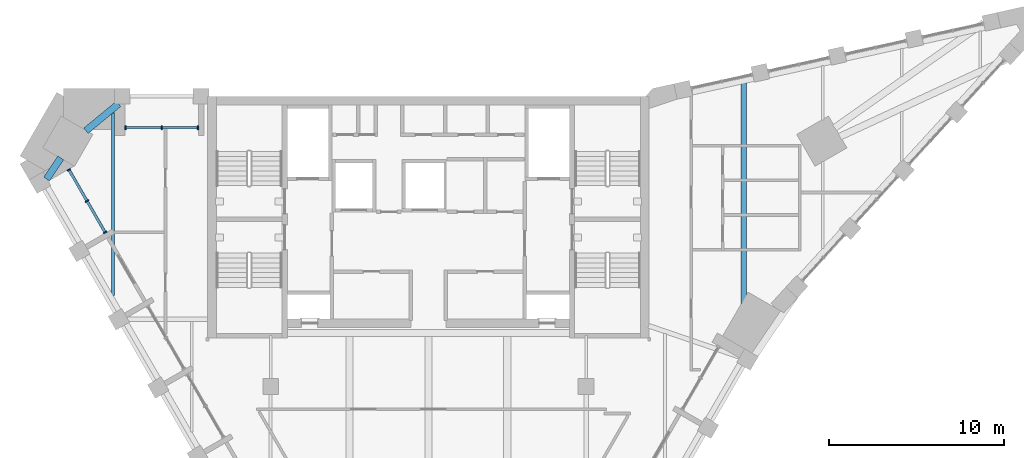
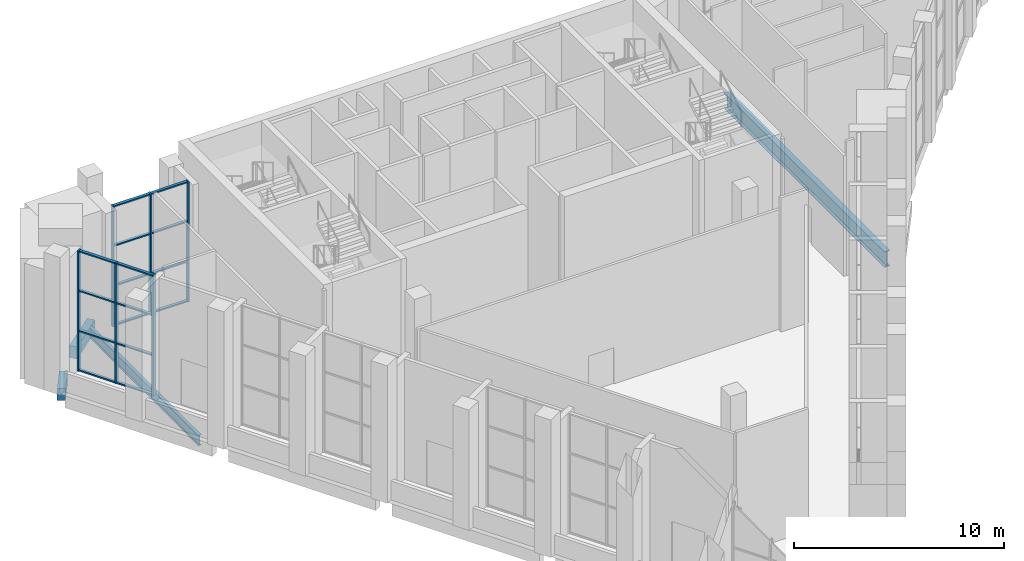
# One storey, part 5 of 16: 22 members, 4 beams, 2 elements without a shape of their own.
"""IFC4 building model written with IfcOpenShell, lengths in metres."""

from ifc_helpers import new_model, si_unit, direction, frame, origin, origin_2d, place, context, subcontext, project, spatial, rectangle, i_section, extrude, material, material_profile, profile_set, type_object, element, aggregate, save


model = new_model("IFC4")

# Units and contexts
model_context = context("Model", 3, precision=1e-05, world=origin(), true_north=direction((0.0, 1.0)))
body_context = subcontext(model_context, "Body", "Model", "MODEL_VIEW")
ifc_project = project(units=[si_unit("LENGTHUNIT", "METRE"), si_unit("AREAUNIT", "SQUARE_METRE"), si_unit("VOLUMEUNIT", "CUBIC_METRE"), si_unit("PLANEANGLEUNIT", "RADIAN"), si_unit("MASSUNIT", "GRAM", prefix="KILO")], contexts=[model_context])

# Site, building, storey
site_placement = place(None, origin())
site = spatial("IfcSite", under=ifc_project, at=site_placement, CompositionType="ELEMENT")
building_placement = place(site_placement, origin())
building = spatial("IfcBuilding", under=site, at=building_placement, Name="Calabash Gate Tower", CompositionType="ELEMENT")
storey_placement = place(building_placement, frame((0.0, 0.0, 302.5)))
storey = spatial("IfcBuildingStorey", under=building, at=storey_placement, Name="L72", CompositionType="ELEMENT", Elevation=302.5)

# Beams
ifc_material_1 = material(Name="Concrete C50/60", Category="concrete")
ifc_material_profile_1 = material_profile(ifc_material_1, rectangle(XDim=0.39990234375, YDim=0.699951171875, at=origin_2d()))
ifc_profile_set_1 = profile_set([ifc_material_profile_1], Name="Concrete C50/60")
beam_type_1 = type_object("IfcBeamType", Name="Edge beam RC 400x700 Concrete C50/60", PredefinedType="BEAM", material=ifc_profile_set_1)
beam_1_placement = place(storey_placement, frame((-17.673095703125, 18.623046875, -0.64990234375), z_axis=(-0.77193605732, -0.635700183585, 0.0), x_axis=(0.635700183585, -0.77193605732, 0.0)))
element("IfcBeam", 1, at=beam_1_placement, inside=storey, type_object=beam_type_1, Name="Edge beam L72 16", PredefinedType="BEAM", context=body_context, shape_type="SweptSolid", body=[
    extrude(rectangle(XDim=0.39990234375, YDim=0.699951171875, at=origin_2d()), origin(), (0.0, 0.0, 1.0), 2.421142578125),
])
beam_2_placement = place(storey_placement, frame((-20.97412109375, 15.535888671875, -0.64990234375), z_axis=(-0.556208441461, -0.831042820586, 0.0), x_axis=(0.831042820586, -0.556208441461, 0.0)))
element("IfcBeam", 2, at=beam_2_placement, inside=storey, type_object=beam_type_1, Name="Edge beam L72 17", PredefinedType="BEAM", context=body_context, shape_type="SweptSolid", body=[
    extrude(rectangle(XDim=0.39990234375, YDim=0.699951171875, at=origin_2d()), origin(), (0.0, 0.0, 1.0), 1.4560546875),
])
ifc_material_2 = material(Name="Steel ASTM A992 Gr50", Category="steel")
ifc_material_profile_2 = material_profile(ifc_material_2, i_section(OverallWidth=0.1787109375, OverallDepth=0.60205078125, WebThickness=0.010986328125, FlangeThickness=0.014892578125, FilletRadius=0.0126953125, at=origin_2d()))
ifc_profile_set_2 = profile_set([ifc_material_profile_2], Name="Steel ASTM A992 Gr50")
beam_type_2 = type_object("IfcBeamType", Name="Floor beam W24x62 ASTM A992 Gr50", PredefinedType="BEAM", material=ifc_profile_set_2)
beam_3_placement = place(storey_placement, frame((-18.0, 7.679931640625, -0.60107421875), z_axis=(0.0, 1.0, 0.0), x_axis=(-1.0, 0.0, 0.0)))
element("IfcBeam", 3, at=beam_3_placement, inside=storey, type_object=beam_type_2, Name="Floor beam L72 1", PredefinedType="BEAM", context=body_context, shape_type="SweptSolid", body=[
    extrude(i_section(OverallWidth=0.1787109375, OverallDepth=0.60205078125, WebThickness=0.010986328125, FlangeThickness=0.014892578125, FilletRadius=0.0126953125, at=origin_2d()), origin(), (0.0, 0.0, 1.0), 10.43701171875),
])
ifc_material_3 = material(Name="Steel ASTM A992 Gr50", Category="steel")
ifc_material_profile_3 = material_profile(ifc_material_3, i_section(OverallWidth=0.307373046875, OverallDepth=0.922119140625, WebThickness=0.018310546875, FlangeThickness=0.030029296875, FilletRadius=0.01904296875, at=origin_2d()))
ifc_profile_set_3 = profile_set([ifc_material_profile_3], Name="Steel ASTM A992 Gr50")
beam_type_3 = type_object("IfcBeamType", Name="Floor beam W36x182 ASTM A992 Gr50", PredefinedType="BEAM", material=ifc_profile_set_3)
beam_4_placement = place(storey_placement, frame((18.0, 4.547119140625, -0.760986328125), z_axis=(0.0, 1.0, 0.0), x_axis=(-1.0, 0.0, 0.0)))
element("IfcBeam", 4, at=beam_4_placement, inside=storey, type_object=beam_type_3, Name="Floor beam L72 14", PredefinedType="BEAM", context=body_context, shape_type="SweptSolid", body=[
    extrude(i_section(OverallWidth=0.307373046875, OverallDepth=0.922119140625, WebThickness=0.018310546875, FlangeThickness=0.030029296875, FilletRadius=0.01904296875, at=origin_2d()), origin(), (0.0, 0.0, 1.0), 15.2568359375),
])

# Curtain wall, members
ifc_material_4 = material(Name="Anodised aluminium frame, bronze finish, clear laminated impact-rated glazing", Category="aluminium")
curtain_wall_type = type_object("IfcCurtainWallType", Name="Curtain wall CWO observation deck wall", PredefinedType="NOTDEFINED", material=ifc_material_4)
curtain_wall_1_placement = place(storey_placement, origin())
curtain_wall_1 = element("IfcCurtainWall", 5, at=curtain_wall_1_placement, inside=storey, type_object=curtain_wall_type, Name="Curtain wall CWO L72 SW0.1", PredefinedType="NOTDEFINED")
ifc_material_5 = material(Name="Anodised aluminium frame, bronze finish", Category="aluminium")
ifc_material_profile_4 = material_profile(ifc_material_5, rectangle(XDim=0.219970703125, YDim=0.074951171875, at=origin_2d()))
ifc_profile_set_4 = profile_set([ifc_material_profile_4], Name="Anodised aluminium frame, bronze finish")
member_type_1 = type_object("IfcMemberType", Name="Mullion CWO 75x220", PredefinedType="MULLION", material=ifc_profile_set_4)
member_1_placement = place(storey_placement, frame((-20.50927734375, 14.857666015625, 0.0), z_axis=(0.0, 0.0, 1.0), x_axis=(0.866025421884, 0.499999968652, 0.0)))
member_1 = element("IfcMember", 6, at=member_1_placement, type_object=member_type_1, Name="CWO mullion 1", PredefinedType="MULLION", context=body_context, shape_type="SweptSolid", body=[
    extrude(rectangle(XDim=0.219970703125, YDim=0.074951171875, at=origin_2d()), origin(), (0.0, 0.0, 1.0), 7.0),
])
member_2_placement = place(storey_placement, frame((-19.47802734375, 13.071533203125, 0.0), z_axis=(0.0, 0.0, 1.0), x_axis=(0.866025421884, 0.499999968652, 0.0)))
member_2 = element("IfcMember", 7, at=member_2_placement, type_object=member_type_1, Name="CWO mullion 2", PredefinedType="MULLION", context=body_context, shape_type="SweptSolid", body=[
    extrude(rectangle(XDim=0.219970703125, YDim=0.074951171875, at=origin_2d()), origin(), (0.0, 0.0, 1.0), 7.0),
])
member_3_placement = place(storey_placement, frame((-18.44677734375, 11.285400390625, 0.0), z_axis=(0.0, 0.0, 1.0), x_axis=(0.866025421884, 0.499999968652, 0.0)))
member_3 = element("IfcMember", 8, at=member_3_placement, type_object=member_type_1, Name="CWO mullion 3", PredefinedType="MULLION", context=body_context, shape_type="SweptSolid", body=[
    extrude(rectangle(XDim=0.219970703125, YDim=0.074951171875, at=origin_2d()), origin(), (0.0, 0.0, 1.0), 7.0),
])

curtain_wall_2_placement = place(storey_placement, origin())
curtain_wall_2 = element("IfcCurtainWall", 9, at=curtain_wall_2_placement, inside=storey, type_object=curtain_wall_type, Name="Curtain wall CWO L72 N6.6", PredefinedType="NOTDEFINED")
member_4_placement = place(storey_placement, frame((-13.153076171875, 17.25244140625, 0.0), z_axis=(0.0, 0.0, 1.0), x_axis=(0.0, -1.0, 0.0)))
member_4 = element("IfcMember", 10, at=member_4_placement, type_object=member_type_1, Name="CWO mullion 1", PredefinedType="MULLION", context=body_context, shape_type="SweptSolid", body=[
    extrude(rectangle(XDim=0.219970703125, YDim=0.074951171875, at=origin_2d()), origin(), (0.0, 0.0, 1.0), 7.0),
])
member_5_placement = place(storey_placement, frame((-15.215576171875, 17.25244140625, 0.0), z_axis=(0.0, 0.0, 1.0), x_axis=(0.0, -1.0, 0.0)))
member_5 = element("IfcMember", 11, at=member_5_placement, type_object=member_type_1, Name="CWO mullion 2", PredefinedType="MULLION", context=body_context, shape_type="SweptSolid", body=[
    extrude(rectangle(XDim=0.219970703125, YDim=0.074951171875, at=origin_2d()), origin(), (0.0, 0.0, 1.0), 7.0),
])
member_6_placement = place(storey_placement, frame((-17.278076171875, 17.25244140625, 0.0), z_axis=(0.0, 0.0, 1.0), x_axis=(0.0, -1.0, 0.0)))
member_6 = element("IfcMember", 12, at=member_6_placement, type_object=member_type_1, Name="CWO mullion 3", PredefinedType="MULLION", context=body_context, shape_type="SweptSolid", body=[
    extrude(rectangle(XDim=0.219970703125, YDim=0.074951171875, at=origin_2d()), origin(), (0.0, 0.0, 1.0), 7.0),
])

# Member
ifc_material_6 = material(Name="Anodised aluminium frame, bronze finish", Category="aluminium")
ifc_material_profile_5 = material_profile(ifc_material_6, rectangle(XDim=0.159912109375, YDim=0.074951171875, at=origin_2d()))
ifc_profile_set_5 = profile_set([ifc_material_profile_5], Name="Anodised aluminium frame, bronze finish")
member_type_2 = type_object("IfcMemberType", Name="Transom CWO 75x160", PredefinedType="USERDEFINED", material=ifc_profile_set_5)
member_7_placement = place(storey_placement, frame((-20.490478515625, 14.8251953125, 0.03759765625), z_axis=(0.4999705729, -0.866042392862, 0.0), x_axis=(0.866042392862, 0.4999705729, 0.0)))
member_7 = element("IfcMember", 13, at=member_7_placement, type_object=member_type_2, Name="CWO transom 1.1", ObjectType="TRANSOM", PredefinedType="USERDEFINED", context=body_context, shape_type="SweptSolid", body=[
    extrude(rectangle(XDim=0.159912109375, YDim=0.074951171875, at=origin_2d()), origin(), (0.0, 0.0, 1.0), 1.9873046875),
])

member_8_placement = place(storey_placement, frame((-20.490478515625, 14.8251953125, 2.333251953125), z_axis=(0.4999705729, -0.866042392862, 0.0), x_axis=(0.866042392862, 0.4999705729, 0.0)))
member_8 = element("IfcMember", 14, at=member_8_placement, type_object=member_type_2, Name="CWO transom 1.2", ObjectType="TRANSOM", PredefinedType="USERDEFINED", context=body_context, shape_type="SweptSolid", body=[
    extrude(rectangle(XDim=0.159912109375, YDim=0.074951171875, at=origin_2d()), origin(), (0.0, 0.0, 1.0), 1.9873046875),
])

member_9_placement = place(storey_placement, frame((-20.490478515625, 14.8251953125, 4.666748046875), z_axis=(0.4999705729, -0.866042392862, 0.0), x_axis=(0.866042392862, 0.4999705729, 0.0)))
member_9 = element("IfcMember", 15, at=member_9_placement, type_object=member_type_2, Name="CWO transom 1.3", ObjectType="TRANSOM", PredefinedType="USERDEFINED", context=body_context, shape_type="SweptSolid", body=[
    extrude(rectangle(XDim=0.159912109375, YDim=0.074951171875, at=origin_2d()), origin(), (0.0, 0.0, 1.0), 1.9873046875),
])

member_10_placement = place(storey_placement, frame((-20.490478515625, 14.8251953125, 6.96240234375), z_axis=(0.4999705729, -0.866042392862, 0.0), x_axis=(0.866042392862, 0.4999705729, 0.0)))
member_10 = element("IfcMember", 16, at=member_10_placement, type_object=member_type_2, Name="CWO transom 1.4", ObjectType="TRANSOM", PredefinedType="USERDEFINED", context=body_context, shape_type="SweptSolid", body=[
    extrude(rectangle(XDim=0.159912109375, YDim=0.074951171875, at=origin_2d()), origin(), (0.0, 0.0, 1.0), 1.9873046875),
])

member_11_placement = place(storey_placement, frame((-19.459228515625, 13.0390625, 0.03759765625), z_axis=(0.4999705729, -0.866042392862, 0.0), x_axis=(0.866042392862, 0.4999705729, 0.0)))
member_11 = element("IfcMember", 17, at=member_11_placement, type_object=member_type_2, Name="CWO transom 2.1", ObjectType="TRANSOM", PredefinedType="USERDEFINED", context=body_context, shape_type="SweptSolid", body=[
    extrude(rectangle(XDim=0.159912109375, YDim=0.074951171875, at=origin_2d()), origin(), (0.0, 0.0, 1.0), 1.9873046875),
])

member_12_placement = place(storey_placement, frame((-19.459228515625, 13.0390625, 2.333251953125), z_axis=(0.4999705729, -0.866042392862, 0.0), x_axis=(0.866042392862, 0.4999705729, 0.0)))
member_12 = element("IfcMember", 18, at=member_12_placement, type_object=member_type_2, Name="CWO transom 2.2", ObjectType="TRANSOM", PredefinedType="USERDEFINED", context=body_context, shape_type="SweptSolid", body=[
    extrude(rectangle(XDim=0.159912109375, YDim=0.074951171875, at=origin_2d()), origin(), (0.0, 0.0, 1.0), 1.9873046875),
])

member_13_placement = place(storey_placement, frame((-19.459228515625, 13.0390625, 4.666748046875), z_axis=(0.4999705729, -0.866042392862, 0.0), x_axis=(0.866042392862, 0.4999705729, 0.0)))
member_13 = element("IfcMember", 19, at=member_13_placement, type_object=member_type_2, Name="CWO transom 2.3", ObjectType="TRANSOM", PredefinedType="USERDEFINED", context=body_context, shape_type="SweptSolid", body=[
    extrude(rectangle(XDim=0.159912109375, YDim=0.074951171875, at=origin_2d()), origin(), (0.0, 0.0, 1.0), 1.9873046875),
])

member_14_placement = place(storey_placement, frame((-19.459228515625, 13.0390625, 6.96240234375), z_axis=(0.4999705729, -0.866042392862, 0.0), x_axis=(0.866042392862, 0.4999705729, 0.0)))
member_14 = element("IfcMember", 20, at=member_14_placement, type_object=member_type_2, Name="CWO transom 2.4", ObjectType="TRANSOM", PredefinedType="USERDEFINED", context=body_context, shape_type="SweptSolid", body=[
    extrude(rectangle(XDim=0.159912109375, YDim=0.074951171875, at=origin_2d()), origin(), (0.0, 0.0, 1.0), 1.9873046875),
])

aggregate(curtain_wall_1, [member_1, member_2, member_3, member_7, member_8, member_9, member_10, member_11, member_12, member_13, member_14])

member_15_placement = place(storey_placement, frame((-13.190673828125, 17.25244140625, 0.03759765625), z_axis=(-1.0, 0.0, 0.0), x_axis=(0.0, -1.0, 0.0)))
member_15 = element("IfcMember", 21, at=member_15_placement, type_object=member_type_2, Name="CWO transom 1.1", ObjectType="TRANSOM", PredefinedType="USERDEFINED", context=body_context, shape_type="SweptSolid", body=[
    extrude(rectangle(XDim=0.159912109375, YDim=0.074951171875, at=origin_2d()), origin(), (0.0, 0.0, 1.0), 1.987548828125),
])

member_16_placement = place(storey_placement, frame((-13.190673828125, 17.25244140625, 2.333251953125), z_axis=(-1.0, 0.0, 0.0), x_axis=(0.0, -1.0, 0.0)))
member_16 = element("IfcMember", 22, at=member_16_placement, type_object=member_type_2, Name="CWO transom 1.2", ObjectType="TRANSOM", PredefinedType="USERDEFINED", context=body_context, shape_type="SweptSolid", body=[
    extrude(rectangle(XDim=0.159912109375, YDim=0.074951171875, at=origin_2d()), origin(), (0.0, 0.0, 1.0), 1.987548828125),
])

member_17_placement = place(storey_placement, frame((-13.190673828125, 17.25244140625, 4.666748046875), z_axis=(-1.0, 0.0, 0.0), x_axis=(0.0, -1.0, 0.0)))
member_17 = element("IfcMember", 23, at=member_17_placement, type_object=member_type_2, Name="CWO transom 1.3", ObjectType="TRANSOM", PredefinedType="USERDEFINED", context=body_context, shape_type="SweptSolid", body=[
    extrude(rectangle(XDim=0.159912109375, YDim=0.074951171875, at=origin_2d()), origin(), (0.0, 0.0, 1.0), 1.987548828125),
])

member_18_placement = place(storey_placement, frame((-13.190673828125, 17.25244140625, 6.96240234375), z_axis=(-1.0, 0.0, 0.0), x_axis=(0.0, -1.0, 0.0)))
member_18 = element("IfcMember", 24, at=member_18_placement, type_object=member_type_2, Name="CWO transom 1.4", ObjectType="TRANSOM", PredefinedType="USERDEFINED", context=body_context, shape_type="SweptSolid", body=[
    extrude(rectangle(XDim=0.159912109375, YDim=0.074951171875, at=origin_2d()), origin(), (0.0, 0.0, 1.0), 1.987548828125),
])

member_19_placement = place(storey_placement, frame((-15.253173828125, 17.25244140625, 0.03759765625), z_axis=(-1.0, 0.0, 0.0), x_axis=(0.0, -1.0, 0.0)))
member_19 = element("IfcMember", 25, at=member_19_placement, type_object=member_type_2, Name="CWO transom 2.1", ObjectType="TRANSOM", PredefinedType="USERDEFINED", context=body_context, shape_type="SweptSolid", body=[
    extrude(rectangle(XDim=0.159912109375, YDim=0.074951171875, at=origin_2d()), origin(), (0.0, 0.0, 1.0), 1.987548828125),
])

member_20_placement = place(storey_placement, frame((-15.253173828125, 17.25244140625, 2.333251953125), z_axis=(-1.0, 0.0, 0.0), x_axis=(0.0, -1.0, 0.0)))
member_20 = element("IfcMember", 26, at=member_20_placement, type_object=member_type_2, Name="CWO transom 2.2", ObjectType="TRANSOM", PredefinedType="USERDEFINED", context=body_context, shape_type="SweptSolid", body=[
    extrude(rectangle(XDim=0.159912109375, YDim=0.074951171875, at=origin_2d()), origin(), (0.0, 0.0, 1.0), 1.987548828125),
])

member_21_placement = place(storey_placement, frame((-15.253173828125, 17.25244140625, 4.666748046875), z_axis=(-1.0, 0.0, 0.0), x_axis=(0.0, -1.0, 0.0)))
member_21 = element("IfcMember", 27, at=member_21_placement, type_object=member_type_2, Name="CWO transom 2.3", ObjectType="TRANSOM", PredefinedType="USERDEFINED", context=body_context, shape_type="SweptSolid", body=[
    extrude(rectangle(XDim=0.159912109375, YDim=0.074951171875, at=origin_2d()), origin(), (0.0, 0.0, 1.0), 1.987548828125),
])

member_22_placement = place(storey_placement, frame((-15.253173828125, 17.25244140625, 6.96240234375), z_axis=(-1.0, 0.0, 0.0), x_axis=(0.0, -1.0, 0.0)))
member_22 = element("IfcMember", 28, at=member_22_placement, type_object=member_type_2, Name="CWO transom 2.4", ObjectType="TRANSOM", PredefinedType="USERDEFINED", context=body_context, shape_type="SweptSolid", body=[
    extrude(rectangle(XDim=0.159912109375, YDim=0.074951171875, at=origin_2d()), origin(), (0.0, 0.0, 1.0), 1.987548828125),
])

aggregate(curtain_wall_2, [member_4, member_5, member_6, member_15, member_16, member_17, member_18, member_19, member_20, member_21, member_22])

save(model, "model.ifc")
